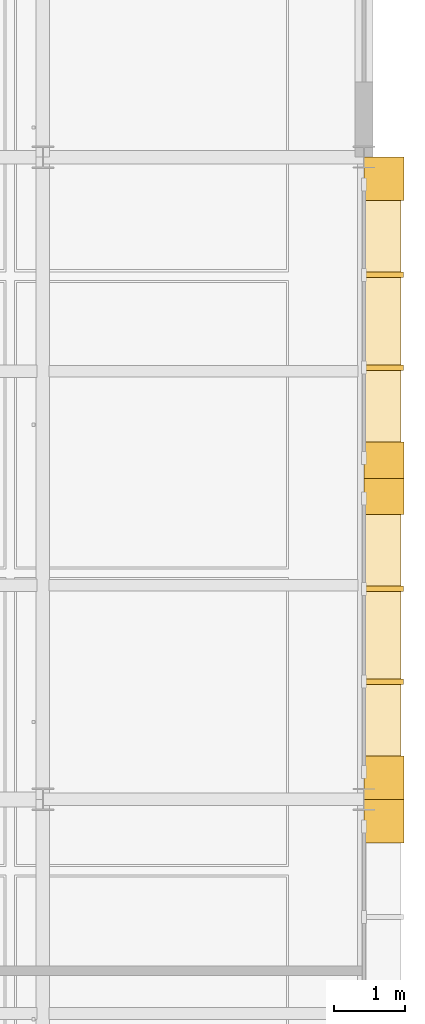
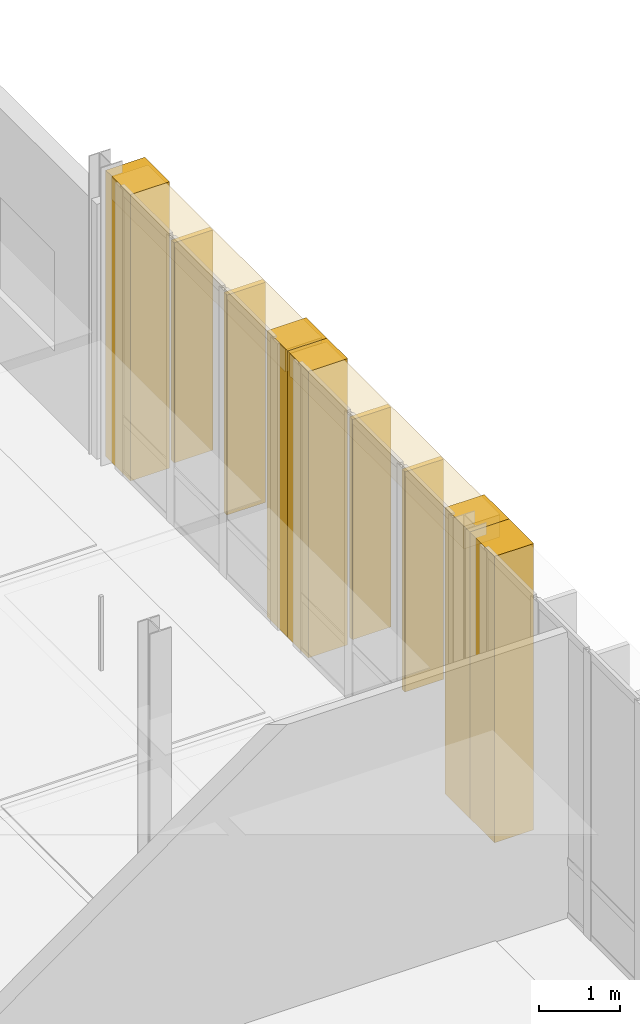
# One storey, part 130 of 130: 7 coverings, 4 shading devices.
"""IFC4 building model written with IfcOpenShell, lengths in metres."""

from ifc_helpers import new_model, si_unit, direction, frame, origin, origin_2d, place, context, subcontext, project, spatial, rectangle, extrude, material, layer, layer_set, type_object, element, save


model = new_model("IFC4")

# Units and contexts
model_context = context("Model", 3, precision=1e-05, world=origin(), true_north=direction((0.0, 1.0)))
body_context = subcontext(model_context, "Body", "Model", "MODEL_VIEW")
ifc_project = project(units=[si_unit("LENGTHUNIT", "METRE"), si_unit("AREAUNIT", "SQUARE_METRE"), si_unit("VOLUMEUNIT", "CUBIC_METRE"), si_unit("PLANEANGLEUNIT", "RADIAN"), si_unit("MASSUNIT", "GRAM", prefix="KILO"), si_unit("THERMODYNAMICTEMPERATUREUNIT", "KELVIN"), si_unit("POWERUNIT", "WATT")], contexts=[model_context])

# Site, building, storey
site_placement = place(None, origin())
site = spatial("IfcSite", under=ifc_project, at=site_placement, CompositionType="ELEMENT")
building_placement = place(site_placement, origin())
building = spatial("IfcBuilding", under=site, at=building_placement, Name="Tallowbark Science Centre", CompositionType="ELEMENT")
storey_placement = place(building_placement, frame((0.0, 0.0, 5.39990234375)))
storey = spatial("IfcBuildingStorey", under=building, at=storey_placement, Name="L01", CompositionType="ELEMENT", Elevation=5.39990234375)

# Coverings
ifc_material_1 = material(Name="White Architectural Precast Concrete Grade N40 (40 MPa)", Category="concrete")
ifc_layer_1 = layer(ifc_material_1, 0.1201171875)
ifc_layer_set_1 = layer_set([ifc_layer_1], Name="White Architectural Precast Concrete Grade N40 (40 MPa)")
covering_type_1 = type_object("IfcCoveringType", Name="COV-PRC-CLAD", PredefinedType="CLADDING", material=ifc_layer_set_1)
for number, where, z_axis, x_axis, name in (
    (1, (162.280029296875, 98.695068359375, 0.0), (0.0, 0.0, 1.0), (0.0, 1.0, 0.0), "Postmodern Deep Precast Pier CW-L01-135-2"),
    (2, (162.280029296875, 99.304931640625, 0.0), (0.0, 0.0, 1.0), (0.0, 1.0, 0.0), "Postmodern Deep Precast Pier CW-L01-136-1"),
):
    element("IfcCovering", number, at=place(storey_placement, frame(where, z_axis=z_axis, x_axis=x_axis)), inside=storey, type_object=covering_type_1, Name=name, PredefinedType="CLADDING", context=body_context, shape_type="SweptSolid", body=[
        extrude(rectangle(XDim=0.610107421875, YDim=0.56005859375, at=origin_2d()), origin(), (0.0, 0.0, 1.0), 4.320068359375),
    ])
for number, where, z_axis, x_axis, name in (
    (3, (162.280029296875, 103.2451171875, 0.0), (0.0, 0.0, 1.0), (0.0, 1.0, 0.0), "Postmodern Deep Precast Pier CW-L01-136-2"),
    (4, (162.280029296875, 103.7548828125, 0.0), (0.0, 0.0, 1.0), (0.0, 1.0, 0.0), "Postmodern Deep Precast Pier CW-L01-137-1"),
):
    element("IfcCovering", number, at=place(storey_placement, frame(where, z_axis=z_axis, x_axis=x_axis)), inside=storey, type_object=covering_type_1, Name=name, PredefinedType="CLADDING", context=body_context, shape_type="SweptSolid", body=[
        extrude(rectangle(XDim=0.510009765625, YDim=0.56005859375, at=origin_2d()), origin(), (0.0, 0.0, 1.0), 4.320068359375),
    ])
covering_placement = place(storey_placement, frame((162.280029296875, 107.695068359375, 0.0), z_axis=(0.0, 0.0, 1.0), x_axis=(0.0, 1.0, 0.0)))
element("IfcCovering", 5, at=covering_placement, inside=storey, type_object=covering_type_1, Name="Postmodern Deep Precast Pier CW-L01-137-2", PredefinedType="CLADDING", context=body_context, shape_type="SweptSolid", body=[
    extrude(rectangle(XDim=0.610107421875, YDim=0.56005859375, at=origin_2d()), origin(), (0.0, 0.0, 1.0), 4.320068359375),
])
ifc_material_2 = material(Name="Vitrified Ochre Terracotta Architectural Rainscreen", Category="masonry")
ifc_layer_2 = layer(ifc_material_2, 0.0380859375)
ifc_layer_set_2 = layer_set([ifc_layer_2], Name="Vitrified Ochre Terracotta Architectural Rainscreen")
covering_type_2 = type_object("IfcCoveringType", Name="COV-TER-CLAD", PredefinedType="CLADDING", material=ifc_layer_set_2)
for number, where, z_axis, x_axis, name in (
    (6, (162.260009765625, 101.300048828125, 3.97021484375), (0.0, 0.0, 1.0), (0.0, 1.0, 0.0), "Postmodern Terracotta Cornice Band CW-L01-136"),
    (7, (162.260009765625, 105.699951171875, 3.97021484375), (0.0, 0.0, 1.0), (0.0, 1.0, 0.0), "Postmodern Terracotta Cornice Band CW-L01-137"),
):
    element("IfcCovering", number, at=place(storey_placement, frame(where, z_axis=z_axis, x_axis=x_axis)), inside=storey, type_object=covering_type_2, Name=name, PredefinedType="CLADDING", context=body_context, shape_type="SweptSolid", body=[
        extrude(rectangle(XDim=4.300048828125, YDim=0.52001953125, at=origin_2d()), origin(), (0.0, 0.0, 1.0), 0.340087890625),
    ])

# Shading devices
ifc_material_3 = material(Name="Sandstone-Finished Architectural Aluminium Solar Fin", Category="masonry")
shading_device_type = type_object("IfcShadingDeviceType", Name="SHD-FIN-400", PredefinedType="JALOUSIE", material=ifc_material_3)
for number, where, z_axis, x_axis, name in (
    (8, (162.280029296875, 100.64990234375, 0.92529296875), (0.0, 0.0, 1.0), (0.0, 1.0, 0.0), "Vertical Solar Fin CW-L01-136-1"),
    (9, (162.280029296875, 101.949951171875, 0.92529296875), (0.0, 0.0, 1.0), (0.0, 1.0, 0.0), "Vertical Solar Fin CW-L01-136-2"),
    (10, (162.280029296875, 105.050048828125, 0.92529296875), (0.0, 0.0, 1.0), (0.0, 1.0, 0.0), "Vertical Solar Fin CW-L01-137-1"),
    (11, (162.280029296875, 106.35009765625, 0.92529296875), (0.0, 0.0, 1.0), (0.0, 1.0, 0.0), "Vertical Solar Fin CW-L01-137-2"),
):
    element("IfcShadingDevice", number, at=place(storey_placement, frame(where, z_axis=z_axis, x_axis=x_axis)), inside=storey, type_object=shading_device_type, Name=name, PredefinedType="JALOUSIE", context=body_context, shape_type="SweptSolid", body=[
        extrude(rectangle(XDim=0.074951171875, YDim=0.550048828125, at=origin_2d()), origin(), (0.0, 0.0, 1.0), 3.320068359375),
    ])

save(model, "model.ifc")
